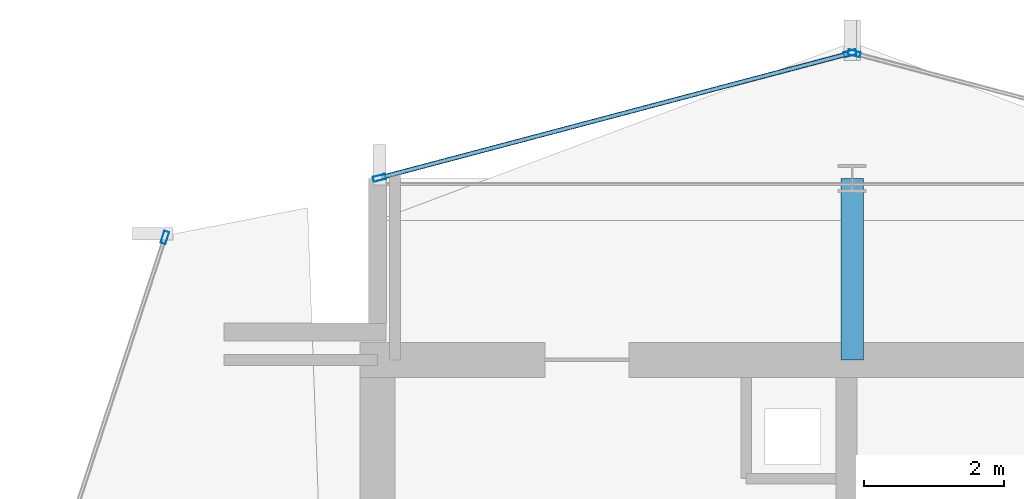
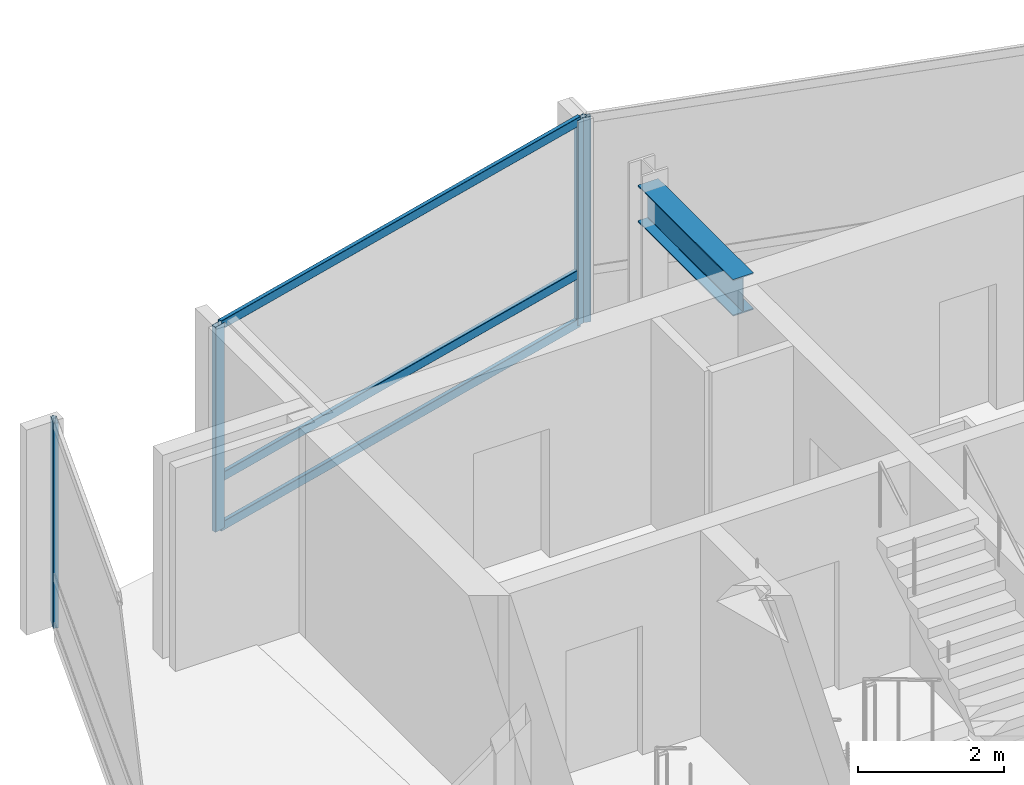
# One storey, part 16 of 27: 7 members, 1 beam, 3 elements without a shape of their own.
"""IFC4 building model written with IfcOpenShell, lengths in metres."""

from ifc_helpers import new_model, si_unit, direction, frame, origin, origin_2d, place, context, subcontext, project, spatial, hollow_rectangle, i_section, extrude, material, layer, layer_set, material_profile, profile_set, type_object, element, aggregate, save


model = new_model("IFC4")

# Units and contexts
model_context = context("Model", 3, precision=1e-05, world=origin(), true_north=direction((0.0, 1.0)))
body_context = subcontext(model_context, "Body", "Model", "MODEL_VIEW")
ifc_project = project(units=[si_unit("LENGTHUNIT", "METRE"), si_unit("AREAUNIT", "SQUARE_METRE"), si_unit("VOLUMEUNIT", "CUBIC_METRE"), si_unit("PLANEANGLEUNIT", "RADIAN"), si_unit("MASSUNIT", "GRAM", prefix="KILO")], contexts=[model_context])

# Site, building, storey
site_placement = place(None, origin())
site = spatial("IfcSite", under=ifc_project, at=site_placement, CompositionType="ELEMENT")
building_placement = place(site_placement, origin())
building = spatial("IfcBuilding", under=site, at=building_placement, Name="Solvaryn Broadcast Tower", CompositionType="ELEMENT")
storey_placement = place(building_placement, frame((0.0, 0.0, 221.0)))
storey = spatial("IfcBuildingStorey", under=building, at=storey_placement, Name="L55", CompositionType="ELEMENT", Elevation=221.0)

# Beam
ifc_material_1 = material(Name="Steel ASTM A992 Grade 50", Category="steel")
ifc_material_profile_1 = material_profile(ifc_material_1, i_section(OverallWidth=0.323974609375, OverallDepth=0.611083984375, WebThickness=0.0126953125, FlangeThickness=0.01904296875, FilletRadius=0.014892578125, at=origin_2d()))
ifc_profile_set_1 = profile_set([ifc_material_profile_1], Name="Steel ASTM A992 Grade 50")
beam_type = type_object("IfcBeamType", Name="BM-B1-W24X104", PredefinedType="BEAM", material=ifc_profile_set_1)
beam_placement = place(storey_placement, frame((18.0, 42.39990234375, 3.114501953125), z_axis=(0.0, 1.0, 0.0), x_axis=(-1.0, 0.0, 0.0)))
element("IfcBeam", 1, at=beam_placement, inside=storey, type_object=beam_type, Name="L55 Core Tie Beam CTW3", PredefinedType="BEAM", context=body_context, shape_type="SweptSolid", body=[
    extrude(i_section(OverallWidth=0.323974609375, OverallDepth=0.611083984375, WebThickness=0.0126953125, FlangeThickness=0.01904296875, FilletRadius=0.014892578125, at=origin_2d()), origin(), (0.0, 0.0, 1.0), 2.60009765625),
])

# Curtain wall, member
ifc_material_2 = material(Name="Aluminium and Terracotta Unitised Curtain Wall", Category="masonry")
ifc_layer = layer(ifc_material_2, 0.199951171875)
ifc_layer_set = layer_set([ifc_layer], Name="CW-SYS2-LOWMID")
curtain_wall_type = type_object("IfcCurtainWallType", Name="CW-SYS2-LOWMID", PredefinedType="NOTDEFINED", material=ifc_layer_set)
curtain_wall_1_placement = place(storey_placement, origin())
curtain_wall_1 = element("IfcCurtainWall", 2, at=curtain_wall_1_placement, inside=storey, type_object=curtain_wall_type, Name="L55 Curtain Wall DR1", PredefinedType="NOTDEFINED")
ifc_material_3 = material(Name="Anodised Aluminium 6063-T6", Category="aluminium")
ifc_material_profile_2 = material_profile(ifc_material_3, hollow_rectangle(XDim=0.074951171875, YDim=0.179931640625, WallThickness=0.00390625, InnerFilletRadius=0.00390625, OuterFilletRadius=0.008056640625, at=origin_2d()))
ifc_profile_set_2 = profile_set([ifc_material_profile_2], Name="Anodised Aluminium 6063-T6")
member_type_1 = type_object("IfcMemberType", Name="CW-MUL-180", PredefinedType="MULLION", material=ifc_profile_set_2)
member_1_placement = place(storey_placement, frame((8.153564453125, 44.153564453125, 0.0), z_axis=(0.0, 0.0, 1.0), x_axis=(0.950226902099, -0.311558717623, 0.0)))
member_1 = element("IfcMember", 3, at=member_1_placement, type_object=member_type_1, Name="CWS2 mullion 1", PredefinedType="MULLION", context=body_context, shape_type="SweptSolid", body=[
    extrude(hollow_rectangle(XDim=0.074951171875, YDim=0.179931640625, WallThickness=0.00390625, InnerFilletRadius=0.00390625, OuterFilletRadius=0.008056640625, at=origin_2d()), origin(), (0.0, 0.0, 1.0), 3.419921875),
])
aggregate(curtain_wall_1, [member_1])

curtain_wall_2_placement = place(storey_placement, origin())
curtain_wall_2 = element("IfcCurtainWall", 4, at=curtain_wall_2_placement, inside=storey, type_object=curtain_wall_type, Name="L55 Curtain Wall NT1", PredefinedType="NOTDEFINED")
member_2_placement = place(storey_placement, frame((18.029052734375, 46.792236328125, 0.0), z_axis=(0.0, 0.0, 1.0), x_axis=(-0.25589256031, -0.966705227863, 0.0)))
member_2 = element("IfcMember", 5, at=member_2_placement, type_object=member_type_1, Name="CWS2 mullion 2", PredefinedType="MULLION", context=body_context, shape_type="SweptSolid", body=[
    extrude(hollow_rectangle(XDim=0.074951171875, YDim=0.179931640625, WallThickness=0.00390625, InnerFilletRadius=0.00390625, OuterFilletRadius=0.008056640625, at=origin_2d()), origin(), (0.0, 0.0, 1.0), 3.419921875),
])
aggregate(curtain_wall_2, [member_2])

# Curtain wall, members
curtain_wall_3_placement = place(storey_placement, origin())
curtain_wall_3 = element("IfcCurtainWall", 6, at=curtain_wall_3_placement, inside=storey, type_object=curtain_wall_type, Name="L55 Curtain Wall NT2", PredefinedType="NOTDEFINED")
member_3_placement = place(storey_placement, frame((17.970947265625, 46.792236328125, 0.0), z_axis=(0.0, 0.0, 1.0), x_axis=(0.25589256031, -0.966705227863, 0.0)))
member_3 = element("IfcMember", 7, at=member_3_placement, type_object=member_type_1, Name="CWS2 mullion 1", PredefinedType="MULLION", context=body_context, shape_type="SweptSolid", body=[
    extrude(hollow_rectangle(XDim=0.074951171875, YDim=0.179931640625, WallThickness=0.00390625, InnerFilletRadius=0.00390625, OuterFilletRadius=0.008056640625, at=origin_2d()), origin(), (0.0, 0.0, 1.0), 3.419921875),
])
member_4_placement = place(storey_placement, frame((11.22900390625, 45.007568359375, 0.0), z_axis=(0.0, 0.0, 1.0), x_axis=(0.25589256031, -0.966705227863, 0.0)))
member_4 = element("IfcMember", 8, at=member_4_placement, type_object=member_type_1, Name="CWS2 mullion 2", PredefinedType="MULLION", context=body_context, shape_type="SweptSolid", body=[
    extrude(hollow_rectangle(XDim=0.074951171875, YDim=0.179931640625, WallThickness=0.00390625, InnerFilletRadius=0.00390625, OuterFilletRadius=0.008056640625, at=origin_2d()), origin(), (0.0, 0.0, 1.0), 3.419921875),
])
ifc_material_4 = material(Name="Anodised Aluminium 6063-T6", Category="aluminium")
ifc_material_profile_3 = material_profile(ifc_material_4, hollow_rectangle(XDim=0.06494140625, YDim=0.14990234375, WallThickness=0.00390625, InnerFilletRadius=0.00390625, OuterFilletRadius=0.008056640625, at=origin_2d()))
ifc_profile_set_3 = profile_set([ifc_material_profile_3], Name="Anodised Aluminium 6063-T6")
member_type_2 = type_object("IfcMemberType", Name="CW-TRN-150", PredefinedType="USERDEFINED", material=ifc_profile_set_3)
member_5_placement = place(storey_placement, frame((17.94189453125, 46.78466796875, 0.030029296875), z_axis=(-0.966703943301, -0.255897413051, 0.0), x_axis=(0.255897413051, -0.966703943301, 0.0)))
member_5 = element("IfcMember", 9, at=member_5_placement, type_object=member_type_2, Name="CWS2 transom 1.1", ObjectType="TRANSOM", PredefinedType="USERDEFINED", context=body_context, shape_type="SweptSolid", body=[
    extrude(hollow_rectangle(XDim=0.06494140625, YDim=0.14990234375, WallThickness=0.00390625, InnerFilletRadius=0.00390625, OuterFilletRadius=0.008056640625, at=origin_2d()), origin(), (0.0, 0.0, 1.0), 6.9140625),
])
member_6_placement = place(storey_placement, frame((17.94189453125, 46.78466796875, 0.85009765625), z_axis=(-0.966703943301, -0.255897413051, 0.0), x_axis=(0.255897413051, -0.966703943301, 0.0)))
member_6 = element("IfcMember", 10, at=member_6_placement, type_object=member_type_2, Name="CWS2 transom 1.2", ObjectType="TRANSOM", PredefinedType="USERDEFINED", context=body_context, shape_type="SweptSolid", body=[
    extrude(hollow_rectangle(XDim=0.06494140625, YDim=0.14990234375, WallThickness=0.00390625, InnerFilletRadius=0.00390625, OuterFilletRadius=0.008056640625, at=origin_2d()), origin(), (0.0, 0.0, 1.0), 6.9140625),
])
member_7_placement = place(storey_placement, frame((17.94189453125, 46.78466796875, 3.389892578125), z_axis=(-0.966703943301, -0.255897413051, 0.0), x_axis=(0.255897413051, -0.966703943301, 0.0)))
member_7 = element("IfcMember", 11, at=member_7_placement, type_object=member_type_2, Name="CWS2 transom 1.3", ObjectType="TRANSOM", PredefinedType="USERDEFINED", context=body_context, shape_type="SweptSolid", body=[
    extrude(hollow_rectangle(XDim=0.06494140625, YDim=0.14990234375, WallThickness=0.00390625, InnerFilletRadius=0.00390625, OuterFilletRadius=0.008056640625, at=origin_2d()), origin(), (0.0, 0.0, 1.0), 6.9140625),
])
aggregate(curtain_wall_3, [member_3, member_4, member_5, member_6, member_7])

save(model, "model.ifc")
